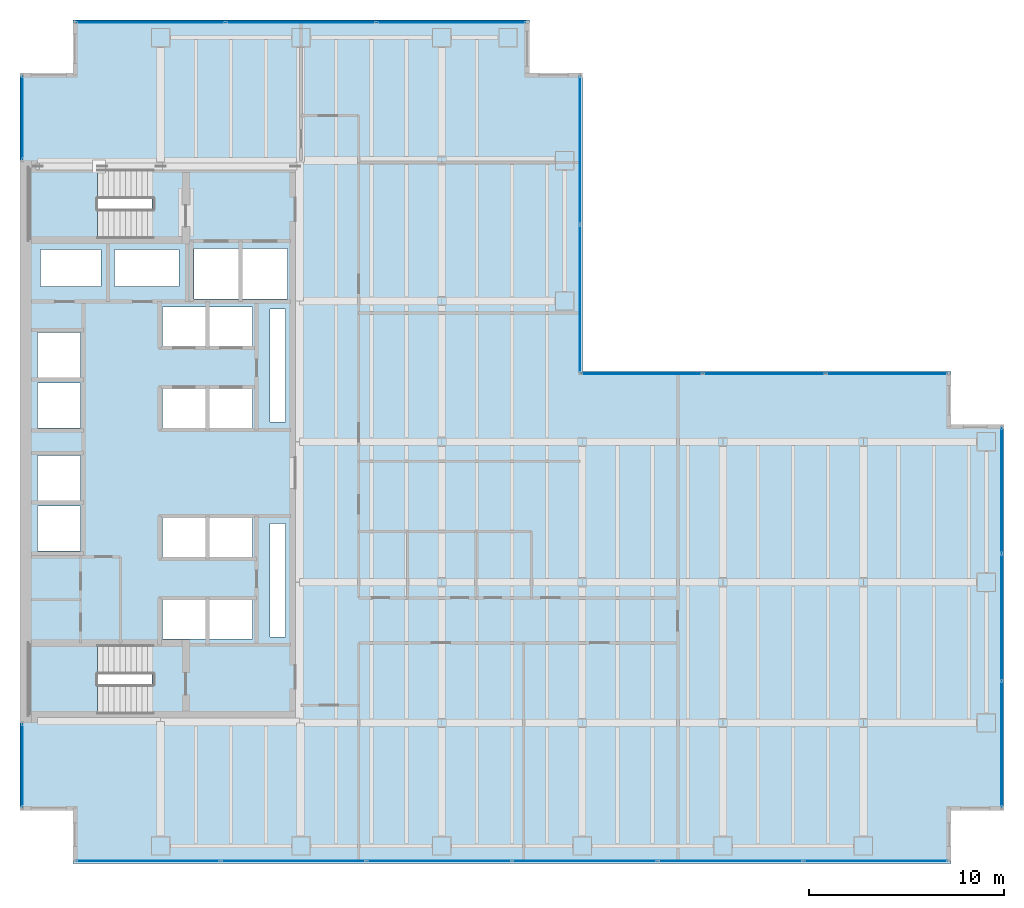
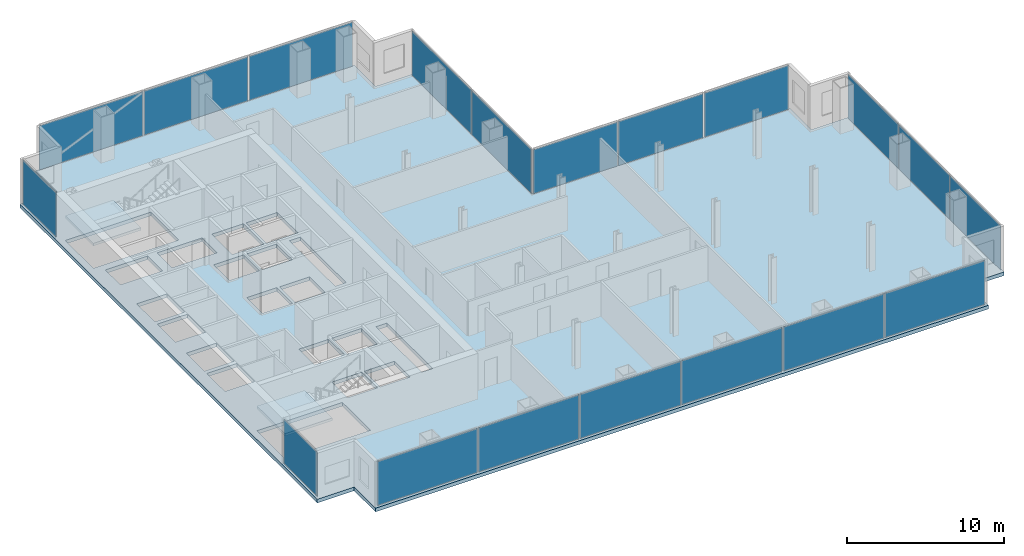
# One storey, part 19 of 23: 19 plates, 3 slabs, 20 openings, 9 elements without a shape of their own.
"""IFC4 building model written with IfcOpenShell, lengths in metres."""

from ifc_helpers import new_model, si_unit, direction, frame, origin, origin_2d, place, context, subcontext, project, spatial, polyline, rectangle, outline, extrude, material, layer, layer_set, type_object, element, aggregate, save


model = new_model("IFC4")

# Units and contexts
model_context = context("Model", 3, precision=1e-05, world=origin(), true_north=direction((0.0, 1.0)))
body_context = subcontext(model_context, "Body", "Model", "MODEL_VIEW")
ifc_project = project(units=[si_unit("LENGTHUNIT", "METRE"), si_unit("AREAUNIT", "SQUARE_METRE"), si_unit("VOLUMEUNIT", "CUBIC_METRE"), si_unit("PLANEANGLEUNIT", "RADIAN"), si_unit("MASSUNIT", "GRAM", prefix="KILO")], contexts=[model_context])

# Site, building, storey
site_placement = place(None, origin())
site = spatial("IfcSite", under=ifc_project, at=site_placement, CompositionType="ELEMENT")
building_placement = place(site_placement, origin())
building = spatial("IfcBuilding", under=site, at=building_placement, Name="Cobrela Telecom Tower", CompositionType="ELEMENT")
storey_placement = place(building_placement, frame((0.0, 0.0, 65.800048828125)))
storey = spatial("IfcBuildingStorey", under=building, at=storey_placement, Name="L16", CompositionType="ELEMENT", Elevation=65.800048828125)

# Curtain wall, plate
ifc_material_1 = material(Name="Anodized Bronze Aluminium 6063-T6", Category="aluminium")
curtain_wall_type = type_object("IfcCurtainWallType", Name="CW-SYS-DATA", PredefinedType="USERDEFINED", material=ifc_material_1)
curtain_wall_1_placement = place(storey_placement, origin())
curtain_wall_1 = element("IfcCurtainWall", 1, at=curtain_wall_1_placement, inside=storey, type_object=curtain_wall_type, Name="L16 Unitised Bronze Curtain Wall 03", ObjectType="UNITISED CURTAIN WALL", PredefinedType="USERDEFINED")
ifc_material_2 = material(Name="Solar-Control Bronze Low-E Glass", Category="glass")
ifc_layer_1 = layer(ifc_material_2, 0.0380859375)
ifc_layer_set_1 = layer_set([ifc_layer_1], Name="Solar-Control Bronze Low-E Glass")
plate_type = type_object("IfcPlateType", Name="CW-SYS-DATA-PNL", PredefinedType="CURTAIN_PANEL", material=ifc_layer_set_1)
plate_1_placement = place(storey_placement, frame((0.1201171875, 5.014892578125, 0.074951171875), z_axis=(0.0, 0.0, 1.0), x_axis=(0.0, 1.0, 0.0)))
plate_1 = element("IfcPlate", 2, at=plate_1_placement, type_object=plate_type, Name="CW-DATA panel 1.1", PredefinedType="CURTAIN_PANEL", context=body_context, shape_type="SweptSolid", body=[
    extrude(rectangle(XDim=4.2099609375, YDim=0.0380859375, at=origin_2d()), origin(), (0.0, 0.0, 1.0), 3.419921875),
])
aggregate(curtain_wall_1, [plate_1])

curtain_wall_2_placement = place(storey_placement, origin())
curtain_wall_2 = element("IfcCurtainWall", 3, at=curtain_wall_2_placement, inside=storey, type_object=curtain_wall_type, Name="L16 Unitised Bronze Curtain Wall 04", ObjectType="UNITISED CURTAIN WALL", PredefinedType="USERDEFINED")
plate_2_placement = place(storey_placement, frame((0.1201171875, 38.18505859375, 0.074951171875), z_axis=(0.0, 0.0, 1.0), x_axis=(0.0, 1.0, 0.0)))
plate_2 = element("IfcPlate", 4, at=plate_2_placement, type_object=plate_type, Name="CW-DATA panel 1.1", PredefinedType="CURTAIN_PANEL", context=body_context, shape_type="SweptSolid", body=[
    extrude(rectangle(XDim=4.2099609375, YDim=0.0380859375, at=origin_2d()), origin(), (0.0, 0.0, 1.0), 3.419921875),
])
aggregate(curtain_wall_2, [plate_2])

# Curtain wall, plates
curtain_wall_3_placement = place(storey_placement, origin())
curtain_wall_3 = element("IfcCurtainWall", 5, at=curtain_wall_3_placement, inside=storey, type_object=curtain_wall_type, Name="L16 Unitised Bronze Curtain Wall 07", ObjectType="UNITISED CURTAIN WALL", PredefinedType="USERDEFINED")
plate_3_placement = place(storey_placement, frame((6.706787109375, 43.080078125, 0.074951171875), z_axis=(0.0, 0.0, 1.0), x_axis=(1.0, 0.0, 0.0)))
plate_3 = element("IfcPlate", 6, at=plate_3_placement, type_object=plate_type, Name="CW-DATA panel 1.1", PredefinedType="CURTAIN_PANEL", context=body_context, shape_type="SweptSolid", body=[
    extrude(rectangle(XDim=7.59326171875, YDim=0.0380859375, at=origin_2d()), origin(), (0.0, 0.0, 1.0), 3.419921875),
])
plate_4_placement = place(storey_placement, frame((14.39990234375, 43.080078125, 0.074951171875), z_axis=(0.0, 0.0, 1.0), x_axis=(1.0, 0.0, 0.0)))
plate_4 = element("IfcPlate", 7, at=plate_4_placement, type_object=plate_type, Name="CW-DATA panel 2.1", PredefinedType="CURTAIN_PANEL", context=body_context, shape_type="SweptSolid", body=[
    extrude(rectangle(XDim=7.63330078125, YDim=0.0380859375, at=origin_2d()), origin(), (0.0, 0.0, 1.0), 3.419921875),
])
plate_5_placement = place(storey_placement, frame((22.09326171875, 43.080078125, 0.074951171875), z_axis=(0.0, 0.0, 1.0), x_axis=(1.0, 0.0, 0.0)))
plate_5 = element("IfcPlate", 8, at=plate_5_placement, type_object=plate_type, Name="CW-DATA panel 3.1", PredefinedType="CURTAIN_PANEL", context=body_context, shape_type="SweptSolid", body=[
    extrude(rectangle(XDim=7.59326171875, YDim=0.0380859375, at=origin_2d()), origin(), (0.0, 0.0, 1.0), 3.419921875),
])
aggregate(curtain_wall_3, [plate_3, plate_4, plate_5])

curtain_wall_4_placement = place(storey_placement, origin())
curtain_wall_4 = element("IfcCurtainWall", 9, at=curtain_wall_4_placement, inside=storey, type_object=curtain_wall_type, Name="L16 Unitised Bronze Curtain Wall 10", ObjectType="UNITISED CURTAIN WALL", PredefinedType="USERDEFINED")
plate_6_placement = place(storey_placement, frame((28.679931640625, 36.527587890625, 0.074951171875), z_axis=(0.0, 0.0, 1.0), x_axis=(0.0, -1.0, 0.0)))
plate_6 = element("IfcPlate", 10, at=plate_6_placement, type_object=plate_type, Name="CW-DATA panel 1.1", PredefinedType="CURTAIN_PANEL", context=body_context, shape_type="SweptSolid", body=[
    extrude(rectangle(XDim=7.52490234375, YDim=0.0380859375, at=origin_2d()), origin(), (0.0, 0.0, 1.0), 3.419921875),
])
plate_7_placement = place(storey_placement, frame((28.679931640625, 28.922607421875, 0.074951171875), z_axis=(0.0, 0.0, 1.0), x_axis=(0.0, -1.0, 0.0)))
plate_7 = element("IfcPlate", 11, at=plate_7_placement, type_object=plate_type, Name="CW-DATA panel 2.1", PredefinedType="CURTAIN_PANEL", context=body_context, shape_type="SweptSolid", body=[
    extrude(rectangle(XDim=7.52490234375, YDim=0.0380859375, at=origin_2d()), origin(), (0.0, 0.0, 1.0), 3.419921875),
])
aggregate(curtain_wall_4, [plate_6, plate_7])

curtain_wall_5_placement = place(storey_placement, origin())
curtain_wall_5 = element("IfcCurtainWall", 12, at=curtain_wall_5_placement, inside=storey, type_object=curtain_wall_type, Name="L16 Unitised Bronze Curtain Wall 11", ObjectType="UNITISED CURTAIN WALL", PredefinedType="USERDEFINED")
plate_8_placement = place(storey_placement, frame((31.848388671875, 25.080078125, 0.074951171875), z_axis=(0.0, 0.0, 1.0), x_axis=(1.0, 0.0, 0.0)))
plate_8 = element("IfcPlate", 13, at=plate_8_placement, type_object=plate_type, Name="CW-DATA panel 1.1", PredefinedType="CURTAIN_PANEL", context=body_context, shape_type="SweptSolid", body=[
    extrude(rectangle(XDim=6.1767578125, YDim=0.0380859375, at=origin_2d()), origin(), (0.0, 0.0, 1.0), 3.419921875),
])
plate_9_placement = place(storey_placement, frame((38.125, 25.080078125, 0.074951171875), z_axis=(0.0, 0.0, 1.0), x_axis=(1.0, 0.0, 0.0)))
plate_9 = element("IfcPlate", 14, at=plate_9_placement, type_object=plate_type, Name="CW-DATA panel 2.1", PredefinedType="CURTAIN_PANEL", context=body_context, shape_type="SweptSolid", body=[
    extrude(rectangle(XDim=6.216552734375, YDim=0.0380859375, at=origin_2d()), origin(), (0.0, 0.0, 1.0), 3.419921875),
])
plate_10_placement = place(storey_placement, frame((44.401611328125, 25.080078125, 0.074951171875), z_axis=(0.0, 0.0, 1.0), x_axis=(1.0, 0.0, 0.0)))
plate_10 = element("IfcPlate", 15, at=plate_10_placement, type_object=plate_type, Name="CW-DATA panel 3.1", PredefinedType="CURTAIN_PANEL", context=body_context, shape_type="SweptSolid", body=[
    extrude(rectangle(XDim=6.1767578125, YDim=0.0380859375, at=origin_2d()), origin(), (0.0, 0.0, 1.0), 3.419921875),
])
aggregate(curtain_wall_5, [plate_8, plate_9, plate_10])

curtain_wall_6_placement = place(storey_placement, origin())
curtain_wall_6 = element("IfcCurtainWall", 16, at=curtain_wall_6_placement, inside=storey, type_object=curtain_wall_type, Name="L16 Unitised Bronze Curtain Wall 14", ObjectType="UNITISED CURTAIN WALL", PredefinedType="USERDEFINED")
plate_11_placement = place(storey_placement, frame((50.280029296875, 19.09326171875, 0.074951171875), z_axis=(0.0, 0.0, 1.0), x_axis=(0.0, -1.0, 0.0)))
plate_11 = element("IfcPlate", 17, at=plate_11_placement, type_object=plate_type, Name="CW-DATA panel 1.1", PredefinedType="CURTAIN_PANEL", context=body_context, shape_type="SweptSolid", body=[
    extrude(rectangle(XDim=6.393310546875, YDim=0.0380859375, at=origin_2d()), origin(), (0.0, 0.0, 1.0), 3.419921875),
])
plate_12_placement = place(storey_placement, frame((50.280029296875, 12.60009765625, 0.074951171875), z_axis=(0.0, 0.0, 1.0), x_axis=(0.0, -1.0, 0.0)))
plate_12 = element("IfcPlate", 18, at=plate_12_placement, type_object=plate_type, Name="CW-DATA panel 2.1", PredefinedType="CURTAIN_PANEL", context=body_context, shape_type="SweptSolid", body=[
    extrude(rectangle(XDim=6.433349609375, YDim=0.0380859375, at=origin_2d()), origin(), (0.0, 0.0, 1.0), 3.419921875),
])
plate_13_placement = place(storey_placement, frame((50.280029296875, 6.106689453125, 0.074951171875), z_axis=(0.0, 0.0, 1.0), x_axis=(0.0, -1.0, 0.0)))
plate_13 = element("IfcPlate", 19, at=plate_13_placement, type_object=plate_type, Name="CW-DATA panel 3.1", PredefinedType="CURTAIN_PANEL", context=body_context, shape_type="SweptSolid", body=[
    extrude(rectangle(XDim=6.393310546875, YDim=0.0380859375, at=origin_2d()), origin(), (0.0, 0.0, 1.0), 3.419921875),
])
aggregate(curtain_wall_6, [plate_11, plate_12, plate_13])

curtain_wall_7_placement = place(storey_placement, origin())
curtain_wall_7 = element("IfcCurtainWall", 20, at=curtain_wall_7_placement, inside=storey, type_object=curtain_wall_type, Name="L16 Unitised Bronze Curtain Wall 17", ObjectType="UNITISED CURTAIN WALL", PredefinedType="USERDEFINED")
plate_14_placement = place(storey_placement, frame((43.82177734375, 0.1201171875, 0.074951171875), z_axis=(0.0, 0.0, 1.0), x_axis=(-1.0, 0.0, 0.0)))
plate_14 = element("IfcPlate", 21, at=plate_14_placement, type_object=plate_type, Name="CW-DATA panel 1.1", PredefinedType="CURTAIN_PANEL", context=body_context, shape_type="SweptSolid", body=[
    extrude(rectangle(XDim=7.336669921875, YDim=0.0380859375, at=origin_2d()), origin(), (0.0, 0.0, 1.0), 3.419921875),
])
plate_15_placement = place(storey_placement, frame((36.385009765625, 0.1201171875, 0.074951171875), z_axis=(0.0, 0.0, 1.0), x_axis=(-1.0, 0.0, 0.0)))
plate_15 = element("IfcPlate", 22, at=plate_15_placement, type_object=plate_type, Name="CW-DATA panel 2.1", PredefinedType="CURTAIN_PANEL", context=body_context, shape_type="SweptSolid", body=[
    extrude(rectangle(XDim=7.376708984375, YDim=0.0380859375, at=origin_2d()), origin(), (0.0, 0.0, 1.0), 3.419921875),
])
plate_16_placement = place(storey_placement, frame((28.92822265625, 0.1201171875, 0.074951171875), z_axis=(0.0, 0.0, 1.0), x_axis=(-1.0, 0.0, 0.0)))
plate_16 = element("IfcPlate", 23, at=plate_16_placement, type_object=plate_type, Name="CW-DATA panel 3.1", PredefinedType="CURTAIN_PANEL", context=body_context, shape_type="SweptSolid", body=[
    extrude(rectangle(XDim=7.376708984375, YDim=0.0380859375, at=origin_2d()), origin(), (0.0, 0.0, 1.0), 3.419921875),
])
plate_17_placement = place(storey_placement, frame((21.4716796875, 0.1201171875, 0.074951171875), z_axis=(0.0, 0.0, 1.0), x_axis=(-1.0, 0.0, 0.0)))
plate_17 = element("IfcPlate", 24, at=plate_17_placement, type_object=plate_type, Name="CW-DATA panel 4.1", PredefinedType="CURTAIN_PANEL", context=body_context, shape_type="SweptSolid", body=[
    extrude(rectangle(XDim=7.376708984375, YDim=0.0380859375, at=origin_2d()), origin(), (0.0, 0.0, 1.0), 3.419921875),
])
plate_18_placement = place(storey_placement, frame((14.014892578125, 0.1201171875, 0.074951171875), z_axis=(0.0, 0.0, 1.0), x_axis=(-1.0, 0.0, 0.0)))
plate_18 = element("IfcPlate", 25, at=plate_18_placement, type_object=plate_type, Name="CW-DATA panel 5.1", PredefinedType="CURTAIN_PANEL", context=body_context, shape_type="SweptSolid", body=[
    extrude(rectangle(XDim=7.376708984375, YDim=0.0380859375, at=origin_2d()), origin(), (0.0, 0.0, 1.0), 3.419921875),
])
plate_19_placement = place(storey_placement, frame((6.578369140625, 0.1201171875, 0.074951171875), z_axis=(0.0, 0.0, 1.0), x_axis=(-1.0, 0.0, 0.0)))
plate_19 = element("IfcPlate", 26, at=plate_19_placement, type_object=plate_type, Name="CW-DATA panel 6.1", PredefinedType="CURTAIN_PANEL", context=body_context, shape_type="SweptSolid", body=[
    extrude(rectangle(XDim=7.336669921875, YDim=0.0380859375, at=origin_2d()), origin(), (0.0, 0.0, 1.0), 3.419921875),
])
aggregate(curtain_wall_7, [plate_14, plate_15, plate_16, plate_17, plate_18, plate_19])

# Slab, openings
ifc_material_3 = material(Name="Concrete C40/50", Category="concrete")
ifc_layer_2 = layer(ifc_material_3, 0.280029296875)
ifc_layer_set_2 = layer_set([ifc_layer_2], Name="Concrete C40/50")
slab_type_1 = type_object("IfcSlabType", Name="SLAB-FLR-280", PredefinedType="FLOOR", material=ifc_layer_set_2)
slab_1_placement = place(storey_placement, frame((0.0, 0.0, -0.280029296875)))
slab_1 = element("IfcSlab", 27, at=slab_1_placement, inside=storey, type_object=slab_type_1, Name="L16 Structural Floor Slab", PredefinedType="FLOOR", context=body_context, shape_type="SweptSolid", body=[
    extrude(outline(polyline([(2.7099609375, 0.0), (47.68994140625, 0.0), (47.68994140625, 2.7099609375), (50.39990234375, 2.7099609375), (50.39990234375, 22.489990234375), (47.68994140625, 22.489990234375), (47.68994140625, 25.199951171875), (28.800048828125, 25.199951171875), (28.800048828125, 40.489990234375), (26.090087890625, 40.489990234375), (26.090087890625, 43.199951171875), (2.7099609375, 43.199951171875), (2.7099609375, 40.489990234375), (0.0, 40.489990234375), (0.0, 2.7099609375), (2.7099609375, 2.7099609375), (2.7099609375, 0.0)])), origin(), (0.0, 0.0, 1.0), 0.280029296875),
])
opening_1_placement = place(slab_1_placement, frame((0.0, 0.0, -0.02001953125)))
element("IfcOpeningElement", 28, at=opening_1_placement, cuts=slab_1, Name="Slab Shaft Opening SLAB-L16-MAIN.1", PredefinedType="OPENING", context=body_context, shape_type="SweptSolid", body=[
    extrude(outline(polyline([(8.89990234375, 28.89990234375), (11.199951171875, 28.89990234375), (11.199951171875, 31.5), (8.89990234375, 31.5), (8.89990234375, 28.89990234375)])), origin(), (0.0, 0.0, 1.0), 0.320068359375),
])
opening_2_placement = place(slab_1_placement, frame((0.0, 0.0, -0.02001953125)))
element("IfcOpeningElement", 29, at=opening_2_placement, cuts=slab_1, Name="Slab Shaft Opening SLAB-L16-MAIN.2", PredefinedType="OPENING", context=body_context, shape_type="SweptSolid", body=[
    extrude(outline(polyline([(11.39990234375, 28.89990234375), (13.699951171875, 28.89990234375), (13.699951171875, 31.5), (11.39990234375, 31.5), (11.39990234375, 28.89990234375)])), origin(), (0.0, 0.0, 1.0), 0.320068359375),
])
opening_3_placement = place(slab_1_placement, frame((0.0, 0.0, -0.02001953125)))
element("IfcOpeningElement", 30, at=opening_3_placement, cuts=slab_1, Name="Slab Shaft Opening SLAB-L16-MAIN.3", PredefinedType="OPENING", context=body_context, shape_type="SweptSolid", body=[
    extrude(outline(polyline([(7.300048828125, 22.300048828125), (9.5, 22.300048828125), (9.5, 24.300048828125), (7.300048828125, 24.300048828125), (7.300048828125, 22.300048828125)])), origin(), (0.0, 0.0, 1.0), 0.320068359375),
])
opening_4_placement = place(slab_1_placement, frame((0.0, 0.0, -0.02001953125)))
element("IfcOpeningElement", 31, at=opening_4_placement, cuts=slab_1, Name="Slab Shaft Opening SLAB-L16-MAIN.4", PredefinedType="OPENING", context=body_context, shape_type="SweptSolid", body=[
    extrude(outline(polyline([(9.699951171875, 22.300048828125), (11.89990234375, 22.300048828125), (11.89990234375, 24.300048828125), (9.699951171875, 24.300048828125), (9.699951171875, 22.300048828125)])), origin(), (0.0, 0.0, 1.0), 0.320068359375),
])
opening_5_placement = place(slab_1_placement, frame((0.0, 0.0, -0.02001953125)))
element("IfcOpeningElement", 32, at=opening_5_placement, cuts=slab_1, Name="Slab Shaft Opening SLAB-L16-MAIN.5", PredefinedType="OPENING", context=body_context, shape_type="SweptSolid", body=[
    extrude(outline(polyline([(7.300048828125, 26.5), (9.5, 26.5), (9.5, 28.5), (7.300048828125, 28.5), (7.300048828125, 26.5)])), origin(), (0.0, 0.0, 1.0), 0.320068359375),
])
opening_6_placement = place(slab_1_placement, frame((0.0, 0.0, -0.02001953125)))
element("IfcOpeningElement", 33, at=opening_6_placement, cuts=slab_1, Name="Slab Shaft Opening SLAB-L16-MAIN.6", PredefinedType="OPENING", context=body_context, shape_type="SweptSolid", body=[
    extrude(outline(polyline([(9.699951171875, 26.5), (11.89990234375, 26.5), (11.89990234375, 28.5), (9.699951171875, 28.5), (9.699951171875, 26.5)])), origin(), (0.0, 0.0, 1.0), 0.320068359375),
])
opening_7_placement = place(slab_1_placement, frame((0.0, 0.0, -0.02001953125)))
element("IfcOpeningElement", 34, at=opening_7_placement, cuts=slab_1, Name="Slab Shaft Opening SLAB-L16-MAIN.7", PredefinedType="OPENING", context=body_context, shape_type="SweptSolid", body=[
    extrude(outline(polyline([(7.300048828125, 15.699951171875), (9.5, 15.699951171875), (9.5, 17.699951171875), (7.300048828125, 17.699951171875), (7.300048828125, 15.699951171875)])), origin(), (0.0, 0.0, 1.0), 0.320068359375),
])
opening_8_placement = place(slab_1_placement, frame((0.0, 0.0, -0.02001953125)))
element("IfcOpeningElement", 35, at=opening_8_placement, cuts=slab_1, Name="Slab Shaft Opening SLAB-L16-MAIN.8", PredefinedType="OPENING", context=body_context, shape_type="SweptSolid", body=[
    extrude(outline(polyline([(9.699951171875, 15.699951171875), (11.89990234375, 15.699951171875), (11.89990234375, 17.699951171875), (9.699951171875, 17.699951171875), (9.699951171875, 15.699951171875)])), origin(), (0.0, 0.0, 1.0), 0.320068359375),
])
opening_9_placement = place(slab_1_placement, frame((0.0, 0.0, -0.02001953125)))
element("IfcOpeningElement", 36, at=opening_9_placement, cuts=slab_1, Name="Slab Shaft Opening SLAB-L16-MAIN.9", PredefinedType="OPENING", context=body_context, shape_type="SweptSolid", body=[
    extrude(outline(polyline([(7.300048828125, 11.5), (9.5, 11.5), (9.5, 13.5), (7.300048828125, 13.5), (7.300048828125, 11.5)])), origin(), (0.0, 0.0, 1.0), 0.320068359375),
])
opening_10_placement = place(slab_1_placement, frame((0.0, 0.0, -0.02001953125)))
element("IfcOpeningElement", 37, at=opening_10_placement, cuts=slab_1, Name="Slab Shaft Opening SLAB-L16-MAIN.10", PredefinedType="OPENING", context=body_context, shape_type="SweptSolid", body=[
    extrude(outline(polyline([(9.699951171875, 11.5), (11.89990234375, 11.5), (11.89990234375, 13.5), (9.699951171875, 13.5), (9.699951171875, 11.5)])), origin(), (0.0, 0.0, 1.0), 0.320068359375),
])
opening_11_placement = place(slab_1_placement, frame((0.0, 0.0, -0.02001953125)))
element("IfcOpeningElement", 38, at=opening_11_placement, cuts=slab_1, Name="Slab Shaft Opening SLAB-L16-MAIN.11", PredefinedType="OPENING", context=body_context, shape_type="SweptSolid", body=[
    extrude(outline(polyline([(0.89990234375, 16.0), (3.10009765625, 16.0), (3.10009765625, 18.300048828125), (0.89990234375, 18.300048828125), (0.89990234375, 16.0)])), origin(), (0.0, 0.0, 1.0), 0.320068359375),
])
opening_12_placement = place(slab_1_placement, frame((0.0, 0.0, -0.02001953125)))
element("IfcOpeningElement", 39, at=opening_12_placement, cuts=slab_1, Name="Slab Shaft Opening SLAB-L16-MAIN.12", PredefinedType="OPENING", context=body_context, shape_type="SweptSolid", body=[
    extrude(outline(polyline([(0.89990234375, 18.60009765625), (3.10009765625, 18.60009765625), (3.10009765625, 20.89990234375), (0.89990234375, 20.89990234375), (0.89990234375, 18.60009765625)])), origin(), (0.0, 0.0, 1.0), 0.320068359375),
])
opening_13_placement = place(slab_1_placement, frame((0.0, 0.0, -0.02001953125)))
element("IfcOpeningElement", 40, at=opening_13_placement, cuts=slab_1, Name="Slab Shaft Opening SLAB-L16-MAIN.13", PredefinedType="OPENING", context=body_context, shape_type="SweptSolid", body=[
    extrude(outline(polyline([(0.89990234375, 22.300048828125), (3.10009765625, 22.300048828125), (3.10009765625, 24.60009765625), (0.89990234375, 24.60009765625), (0.89990234375, 22.300048828125)])), origin(), (0.0, 0.0, 1.0), 0.320068359375),
])
opening_14_placement = place(slab_1_placement, frame((0.0, 0.0, -0.02001953125)))
element("IfcOpeningElement", 41, at=opening_14_placement, cuts=slab_1, Name="Slab Shaft Opening SLAB-L16-MAIN.14", PredefinedType="OPENING", context=body_context, shape_type="SweptSolid", body=[
    extrude(outline(polyline([(0.89990234375, 24.89990234375), (3.10009765625, 24.89990234375), (3.10009765625, 27.199951171875), (0.89990234375, 27.199951171875), (0.89990234375, 24.89990234375)])), origin(), (0.0, 0.0, 1.0), 0.320068359375),
])
opening_15_placement = place(slab_1_placement, frame((0.0, 0.0, -0.02001953125)))
element("IfcOpeningElement", 42, at=opening_15_placement, cuts=slab_1, Name="Slab Shaft Opening SLAB-L16-MAIN.15", PredefinedType="OPENING", context=body_context, shape_type="SweptSolid", body=[
    extrude(outline(polyline([(1.050048828125, 29.550048828125), (4.14990234375, 29.550048828125), (4.14990234375, 31.449951171875), (1.050048828125, 31.449951171875), (1.050048828125, 29.550048828125)])), origin(), (0.0, 0.0, 1.0), 0.320068359375),
])
opening_16_placement = place(slab_1_placement, frame((0.0, 0.0, -0.02001953125)))
element("IfcOpeningElement", 43, at=opening_16_placement, cuts=slab_1, Name="Slab Shaft Opening SLAB-L16-MAIN.16", PredefinedType="OPENING", context=body_context, shape_type="SweptSolid", body=[
    extrude(outline(polyline([(4.85009765625, 29.550048828125), (8.14990234375, 29.550048828125), (8.14990234375, 31.449951171875), (4.85009765625, 31.449951171875), (4.85009765625, 29.550048828125)])), origin(), (0.0, 0.0, 1.0), 0.320068359375),
])
opening_17_placement = place(slab_1_placement, frame((0.0, 0.0, -0.02001953125)))
element("IfcOpeningElement", 44, at=opening_17_placement, cuts=slab_1, Name="Slab Shaft Opening SLAB-L16-MAIN.17", PredefinedType="OPENING", context=body_context, shape_type="SweptSolid", body=[
    extrude(outline(polyline([(12.800048828125, 22.60009765625), (13.60009765625, 22.60009765625), (13.60009765625, 28.39990234375), (12.800048828125, 28.39990234375), (12.800048828125, 22.60009765625)])), origin(), (0.0, 0.0, 1.0), 0.320068359375),
])
opening_18_placement = place(slab_1_placement, frame((0.0, 0.0, -0.02001953125)))
element("IfcOpeningElement", 45, at=opening_18_placement, cuts=slab_1, Name="Slab Shaft Opening SLAB-L16-MAIN.18", PredefinedType="OPENING", context=body_context, shape_type="SweptSolid", body=[
    extrude(outline(polyline([(12.800048828125, 11.60009765625), (13.60009765625, 11.60009765625), (13.60009765625, 17.39990234375), (12.800048828125, 17.39990234375), (12.800048828125, 11.60009765625)])), origin(), (0.0, 0.0, 1.0), 0.320068359375),
])
opening_19_placement = place(slab_1_placement, frame((0.0, 0.0, -0.02001953125)))
element("IfcOpeningElement", 46, at=opening_19_placement, cuts=slab_1, Name="Slab Shaft Opening SLAB-L16-MAIN.19", PredefinedType="OPENING", context=body_context, shape_type="SweptSolid", body=[
    extrude(outline(polyline([(6.7548828125, 35.550048828125), (0.47998046875, 35.550048828125), (0.47998046875, 32.0), (6.7548828125, 32.0), (6.7548828125, 35.550048828125)])), origin(), (0.0, 0.0, 1.0), 0.320068359375),
])
opening_20_placement = place(slab_1_placement, frame((0.0, 0.0, -0.02001953125)))
element("IfcOpeningElement", 47, at=opening_20_placement, cuts=slab_1, Name="Slab Shaft Opening SLAB-L16-MAIN.20", PredefinedType="OPENING", context=body_context, shape_type="SweptSolid", body=[
    extrude(outline(polyline([(6.7548828125, 11.199951171875), (0.47998046875, 11.199951171875), (0.47998046875, 7.64990234375), (6.7548828125, 7.64990234375), (6.7548828125, 11.199951171875)])), origin(), (0.0, 0.0, 1.0), 0.320068359375),
])

# Stair, slab
stair_type = type_object("IfcStairType", Name="STAIR-CORE", PredefinedType="HALF_TURN_STAIR", material=ifc_material_3)
stair_1_placement = place(storey_placement, origin())
stair_1 = element("IfcStair", 48, at=stair_1_placement, inside=storey, type_object=stair_type, Name="L16 Smokeproof Exit Stair ST1", PredefinedType="HALF_TURN_STAIR")
ifc_layer_3 = layer(ifc_material_3, 0.199951171875)
ifc_layer_set_3 = layer_set([ifc_layer_3], Name="Concrete C40/50")
slab_type_2 = type_object("IfcSlabType", Name="SLAB-LAND-200", PredefinedType="LANDING", material=ifc_layer_set_3)
slab_2_placement = place(storey_placement, frame((0.0, 0.0, 1.724853515625)))
slab_2 = element("IfcSlab", 49, at=slab_2_placement, type_object=slab_type_2, Name="ST1 landing 1", PredefinedType="LANDING", context=body_context, shape_type="SweptSolid", body=[
    extrude(outline(polyline([(3.969970703125, 35.550048828125), (0.47998046875, 35.550048828125), (0.47998046875, 32.0), (3.969970703125, 32.0), (3.969970703125, 35.550048828125)])), origin(), (0.0, 0.0, 1.0), 0.2001953125),
])
aggregate(stair_1, [slab_2])

stair_2_placement = place(storey_placement, origin())
stair_2 = element("IfcStair", 50, at=stair_2_placement, inside=storey, type_object=stair_type, Name="L16 Smokeproof Exit Stair ST2", PredefinedType="HALF_TURN_STAIR")
slab_3_placement = place(storey_placement, frame((0.0, 0.0, 1.724853515625)))
slab_3 = element("IfcSlab", 51, at=slab_3_placement, type_object=slab_type_2, Name="ST2 landing 1", PredefinedType="LANDING", context=body_context, shape_type="SweptSolid", body=[
    extrude(outline(polyline([(3.969970703125, 11.199951171875), (0.47998046875, 11.199951171875), (0.47998046875, 7.64990234375), (3.969970703125, 7.64990234375), (3.969970703125, 11.199951171875)])), origin(), (0.0, 0.0, 1.0), 0.2001953125),
])
aggregate(stair_2, [slab_3])

save(model, "model.ifc")
